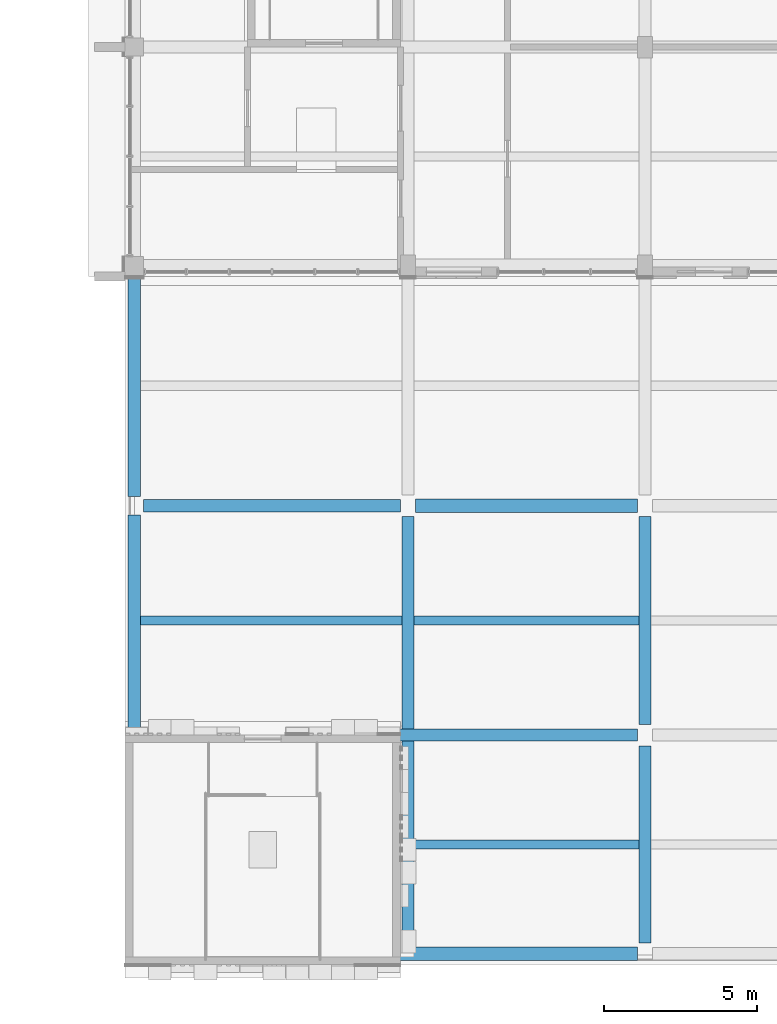
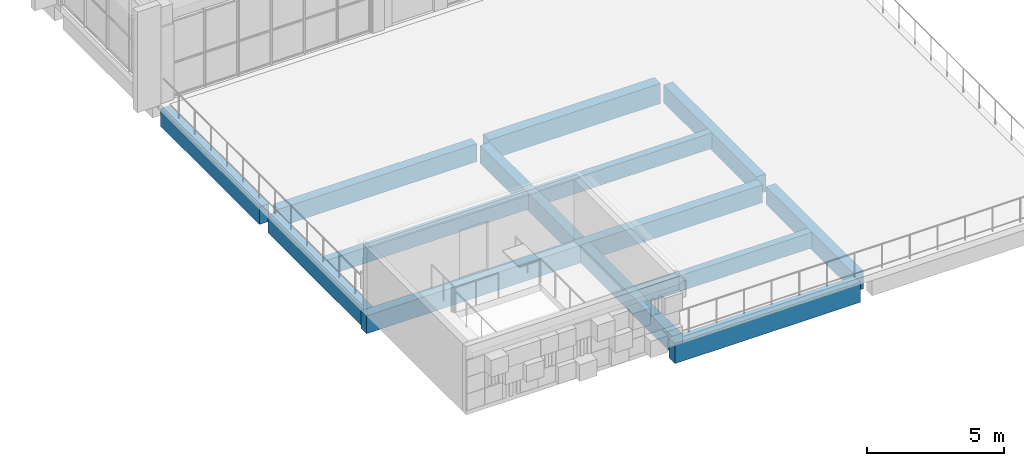
# One storey, part 6 of 42: 13 beams.
"""IFC4 building model written with IfcOpenShell, lengths in metres."""

from ifc_helpers import new_model, si_unit, direction, frame, origin, origin_2d, place, context, subcontext, project, spatial, rectangle, extrude, material, material_profile, profile_set, type_object, element, save


model = new_model("IFC4")

# Units and contexts
model_context = context("Model", 3, precision=1e-05, world=origin(), true_north=direction((0.0, 1.0)))
body_context = subcontext(model_context, "Body", "Model", "MODEL_VIEW")
ifc_project = project(units=[si_unit("LENGTHUNIT", "METRE"), si_unit("AREAUNIT", "SQUARE_METRE"), si_unit("VOLUMEUNIT", "CUBIC_METRE"), si_unit("PLANEANGLEUNIT", "RADIAN"), si_unit("MASSUNIT", "GRAM", prefix="KILO")], contexts=[model_context])

# Site, building, storey
site_placement = place(None, origin())
site = spatial("IfcSite", under=ifc_project, at=site_placement, CompositionType="ELEMENT")
building_placement = place(site_placement, origin())
building = spatial("IfcBuilding", under=site, at=building_placement, Name="Sun Court Science Centre", CompositionType="ELEMENT")
storey_placement = place(building_placement, frame((0.0, 0.0, 20.25)))
storey = spatial("IfcBuildingStorey", under=building, at=storey_placement, Name="L04", CompositionType="ELEMENT", Elevation=20.25)

# Beams
ifc_material_1 = material(Name="Concrete C25/30", Category="concrete")
ifc_material_profile_1 = material_profile(ifc_material_1, rectangle(XDim=0.39990234375, YDim=0.800048828125, at=origin_2d()), Name="RC 400x800")
ifc_profile_set_1 = profile_set([ifc_material_profile_1], Name="Concrete C25/30")
beam_type_1 = type_object("IfcBeamType", Name="RC girder 400x800", PredefinedType="BEAM", material=ifc_profile_set_1)
beam_1_placement = place(storey_placement, frame((78.0, 13.5, -0.699951171875), z_axis=(1.0, 0.0, 0.0), x_axis=(0.0, 1.0, 0.0)))
element("IfcBeam", 1, at=beam_1_placement, inside=storey, type_object=beam_type_1, Name="Girder L04 row 2", PredefinedType="BEAM", context=body_context, shape_type="SweptSolid", body=[
    extrude(rectangle(XDim=0.39990234375, YDim=0.800048828125, at=origin_2d()), origin(), (0.0, 0.0, 1.0), 16.75),
])
beam_2_placement = place(storey_placement, frame((78.60009765625, 21.0, -0.699951171875), z_axis=(1.0, 0.0, 0.0), x_axis=(0.0, 1.0, 0.0)))
element("IfcBeam", 2, at=beam_2_placement, inside=storey, type_object=beam_type_1, Name="Girder L04 row 3", PredefinedType="BEAM", context=body_context, shape_type="SweptSolid", body=[
    extrude(rectangle(XDim=0.39990234375, YDim=0.800048828125, at=origin_2d()), origin(), (0.0, 0.0, 1.0), 8.39990234375),
])
beam_3_placement = place(storey_placement, frame((78.300048828125, 13.699951171875, -0.699951171875), z_axis=(0.0, 1.0, 0.0), x_axis=(-1.0, 0.0, 0.0)))
element("IfcBeam", 3, at=beam_3_placement, inside=storey, type_object=beam_type_1, Name="Girder L04 line 1", PredefinedType="BEAM", context=body_context, shape_type="SweptSolid", body=[
    extrude(rectangle(XDim=0.39990234375, YDim=0.800048828125, at=origin_2d()), origin(), (0.0, 0.0, 1.0), 7.0),
])
beam_4_placement = place(storey_placement, frame((78.300048828125, 21.300048828125, -0.699951171875), z_axis=(0.0, 1.0, 0.0), x_axis=(-1.0, 0.0, 0.0)))
element("IfcBeam", 4, at=beam_4_placement, inside=storey, type_object=beam_type_1, Name="Girder L04 line 1", PredefinedType="BEAM", context=body_context, shape_type="SweptSolid", body=[
    extrude(rectangle(XDim=0.39990234375, YDim=0.800048828125, at=origin_2d()), origin(), (0.0, 0.0, 1.0), 7.25),
])
beam_5_placement = place(storey_placement, frame((87.25, 6.574951171875, -0.699951171875), z_axis=(0.0, 1.0, 0.0), x_axis=(-1.0, 0.0, 0.0)))
element("IfcBeam", 5, at=beam_5_placement, inside=storey, type_object=beam_type_1, Name="Girder L04 line 2", PredefinedType="BEAM", context=body_context, shape_type="SweptSolid", body=[
    extrude(rectangle(XDim=0.39990234375, YDim=0.800048828125, at=origin_2d()), origin(), (0.0, 0.0, 1.0), 6.72509765625),
])
beam_6_placement = place(storey_placement, frame((87.25, 13.699951171875, -0.699951171875), z_axis=(0.0, 1.0, 0.0), x_axis=(-1.0, 0.0, 0.0)))
element("IfcBeam", 6, at=beam_6_placement, inside=storey, type_object=beam_type_1, Name="Girder L04 line 2", PredefinedType="BEAM", context=body_context, shape_type="SweptSolid", body=[
    extrude(rectangle(XDim=0.39990234375, YDim=0.800048828125, at=origin_2d()), origin(), (0.0, 0.0, 1.0), 6.949951171875),
])
beam_7_placement = place(storey_placement, frame((95.0, 6.699951171875, -0.699951171875), z_axis=(0.0, 1.0, 0.0), x_axis=(-1.0, 0.0, 0.0)))
element("IfcBeam", 7, at=beam_7_placement, inside=storey, type_object=beam_type_1, Name="Girder L04 line 3", PredefinedType="BEAM", context=body_context, shape_type="SweptSolid", body=[
    extrude(rectangle(XDim=0.39990234375, YDim=0.800048828125, at=origin_2d()), origin(), (0.0, 0.0, 1.0), 6.449951171875),
])
beam_8_placement = place(storey_placement, frame((95.0, 13.85009765625, -0.699951171875), z_axis=(0.0, 1.0, 0.0), x_axis=(-1.0, 0.0, 0.0)))
element("IfcBeam", 8, at=beam_8_placement, inside=storey, type_object=beam_type_1, Name="Girder L04 line 3", PredefinedType="BEAM", context=body_context, shape_type="SweptSolid", body=[
    extrude(rectangle(XDim=0.39990234375, YDim=0.800048828125, at=origin_2d()), origin(), (0.0, 0.0, 1.0), 6.7998046875),
])
ifc_material_2 = material(Name="Concrete C25/30", Category="concrete")
ifc_material_profile_2 = material_profile(ifc_material_2, rectangle(XDim=0.449951171875, YDim=0.89990234375, at=origin_2d()), Name="RC 450x900")
ifc_profile_set_2 = profile_set([ifc_material_profile_2], Name="Concrete C25/30")
beam_type_2 = type_object("IfcBeamType", Name="RC girder 450x900", PredefinedType="BEAM", material=ifc_profile_set_2)
beam_9_placement = place(storey_placement, frame((86.89990234375, 6.35009765625, -0.75), z_axis=(1.0, 0.0, 0.0), x_axis=(0.0, 1.0, 0.0)))
element("IfcBeam", 9, at=beam_9_placement, inside=storey, type_object=beam_type_2, Name="Girder L04 row 1", PredefinedType="BEAM", context=body_context, shape_type="SweptSolid", body=[
    extrude(rectangle(XDim=0.449951171875, YDim=0.89990234375, at=origin_2d()), origin(), (0.0, 0.0, 1.0), 7.85009765625),
])
beam_10_placement = place(storey_placement, frame((87.5, 21.0, -0.75), z_axis=(1.0, 0.0, 0.0), x_axis=(0.0, 1.0, 0.0)))
element("IfcBeam", 10, at=beam_10_placement, inside=storey, type_object=beam_type_2, Name="Girder L04 row 3", PredefinedType="BEAM", context=body_context, shape_type="SweptSolid", body=[
    extrude(rectangle(XDim=0.449951171875, YDim=0.89990234375, at=origin_2d()), origin(), (0.0, 0.0, 1.0), 7.25),
])
ifc_material_3 = material(Name="Concrete C25/30", Category="concrete")
ifc_material_profile_3 = material_profile(ifc_material_3, rectangle(XDim=0.300048828125, YDim=0.699951171875, at=origin_2d()), Name="RC 300x700")
ifc_profile_set_3 = profile_set([ifc_material_profile_3], Name="Concrete C25/30")
beam_type_3 = type_object("IfcBeamType", Name="RC joist 300x700", PredefinedType="JOIST", material=ifc_profile_set_3)
beam_11_placement = place(storey_placement, frame((87.449951171875, 9.925048828125, -0.64990234375), z_axis=(1.0, 0.0, 0.0), x_axis=(0.0, 1.0, 0.0)))
element("IfcBeam", 11, at=beam_11_placement, inside=storey, type_object=beam_type_3, Name="Joist L04", PredefinedType="JOIST", context=body_context, shape_type="SweptSolid", body=[
    extrude(rectangle(XDim=0.300048828125, YDim=0.699951171875, at=origin_2d()), origin(), (0.0, 0.0, 1.0), 7.35009765625),
])
beam_12_placement = place(storey_placement, frame((78.5, 17.25, -0.64990234375), z_axis=(1.0, 0.0, 0.0), x_axis=(0.0, 1.0, 0.0)))
element("IfcBeam", 12, at=beam_12_placement, inside=storey, type_object=beam_type_3, Name="Joist L04", PredefinedType="JOIST", context=body_context, shape_type="SweptSolid", body=[
    extrude(rectangle(XDim=0.300048828125, YDim=0.699951171875, at=origin_2d()), origin(), (0.0, 0.0, 1.0), 8.550048828125),
])
beam_13_placement = place(storey_placement, frame((87.449951171875, 17.25, -0.64990234375), z_axis=(1.0, 0.0, 0.0), x_axis=(0.0, 1.0, 0.0)))
element("IfcBeam", 13, at=beam_13_placement, inside=storey, type_object=beam_type_3, Name="Joist L04", PredefinedType="JOIST", context=body_context, shape_type="SweptSolid", body=[
    extrude(rectangle(XDim=0.300048828125, YDim=0.699951171875, at=origin_2d()), origin(), (0.0, 0.0, 1.0), 7.35009765625),
])

save(model, "model.ifc")
